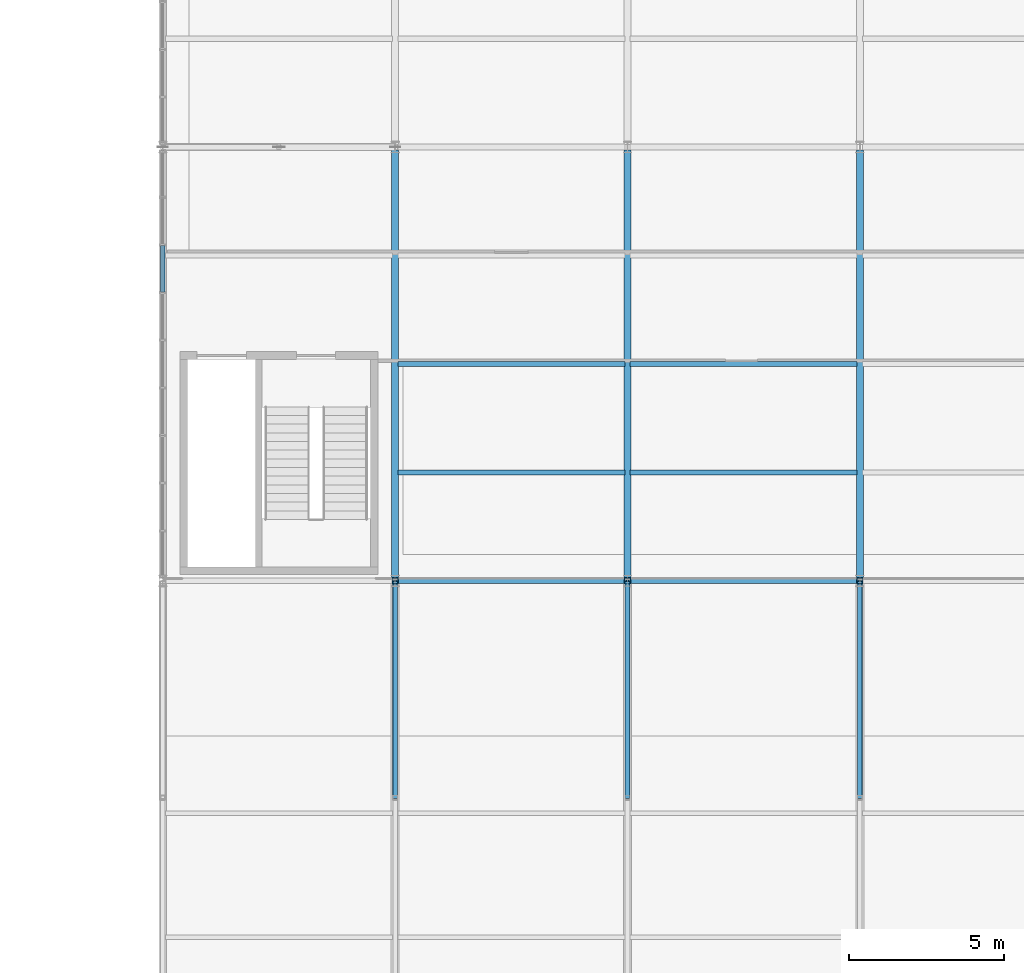
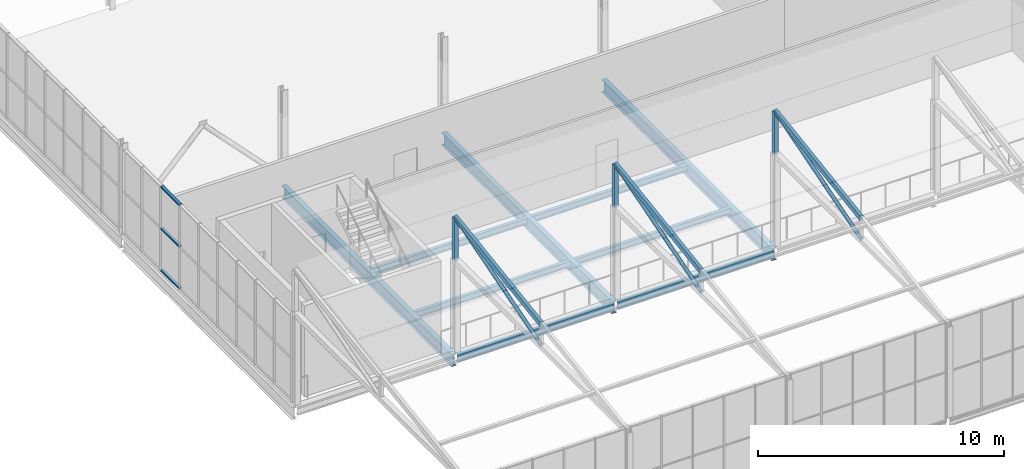
# One storey, part 39 of 104: 12 members, 9 beams, 1 element without a shape of its own.
"""IFC4 building model written with IfcOpenShell, lengths in metres."""

from ifc_helpers import new_model, si_unit, direction, frame, origin, origin_2d, place, context, subcontext, project, spatial, hollow_rectangle, hollow_circle, i_section, extrude, material, layer, layer_set, material_profile, profile_set, type_object, element, aggregate, save


model = new_model("IFC4")

# Units and contexts
model_context = context("Model", 3, precision=1e-05, world=origin(), true_north=direction((0.0, 1.0)))
body_context = subcontext(model_context, "Body", "Model", "MODEL_VIEW")
ifc_project = project(units=[si_unit("LENGTHUNIT", "METRE"), si_unit("AREAUNIT", "SQUARE_METRE"), si_unit("VOLUMEUNIT", "CUBIC_METRE"), si_unit("PLANEANGLEUNIT", "RADIAN"), si_unit("MASSUNIT", "GRAM", prefix="KILO")], contexts=[model_context])

# Site, building, storey
site_placement = place(None, origin())
site = spatial("IfcSite", under=ifc_project, at=site_placement, CompositionType="ELEMENT")
building_placement = place(site_placement, origin())
building = spatial("IfcBuilding", under=site, at=building_placement, Name="Solvenia Promenade Tram Depot", CompositionType="ELEMENT")
storey_placement = place(building_placement, frame((0.0, 0.0, 9.0)))
storey = spatial("IfcBuildingStorey", under=building, at=storey_placement, Name="L02", CompositionType="ELEMENT", Elevation=9.0)

# Curtain wall, members
ifc_material_1 = material(Name="Anodized aluminium AW-6063 T6", Category="aluminium")
ifc_layer = layer(ifc_material_1, 0.14990234375, Name="Anodized aluminium AW-6063 T6", Category="aluminium")
ifc_layer_set = layer_set([ifc_layer], Name="Anodized aluminium AW-6063 T6")
curtain_wall_type = type_object("IfcCurtainWallType", Name="CW-Court-1500", PredefinedType="NOTDEFINED", material=ifc_layer_set)
curtain_wall_placement = place(storey_placement, origin())
curtain_wall = element("IfcCurtainWall", 1, at=curtain_wall_placement, inside=storey, type_object=curtain_wall_type, Name="Curtain Wall CW-V2W-L2-1", PredefinedType="NOTDEFINED")
ifc_material_profile_1 = material_profile(ifc_material_1, hollow_rectangle(XDim=0.139892578125, YDim=0.06494140625, WallThickness=0.00390625, at=origin_2d()), Name="ALU-T2", Category="aluminium")
ifc_profile_set_1 = profile_set([ifc_material_profile_1], Name="Anodized aluminium AW-6063 T6")
member_type_1 = type_object("IfcMemberType", Name="CWT-Transom-2", PredefinedType="USERDEFINED", material=ifc_profile_set_1)
member_1_placement = place(storey_placement, frame((105.0, 47.331787109375, 0.032470703125), z_axis=(0.0, 1.0, 0.0), x_axis=(-1.0, 0.0, 0.0)))
member_1 = element("IfcMember", 2, at=member_1_placement, type_object=member_type_1, Name="CW-5 transom 7.1", ObjectType="TRANSOM", PredefinedType="USERDEFINED", context=body_context, shape_type="SweptSolid", body=[
    extrude(hollow_rectangle(XDim=0.139892578125, YDim=0.06494140625, WallThickness=0.00390625, at=origin_2d()), origin(), (0.0, 0.0, 1.0), 1.487548828125),
])
member_2_placement = place(storey_placement, frame((105.0, 47.331787109375, 2.10009765625), z_axis=(0.0, 1.0, 0.0), x_axis=(-1.0, 0.0, 0.0)))
member_2 = element("IfcMember", 3, at=member_2_placement, type_object=member_type_1, Name="CW-5 transom 7.2", ObjectType="TRANSOM", PredefinedType="USERDEFINED", context=body_context, shape_type="SweptSolid", body=[
    extrude(hollow_rectangle(XDim=0.139892578125, YDim=0.06494140625, WallThickness=0.00390625, at=origin_2d()), origin(), (0.0, 0.0, 1.0), 1.487548828125),
])
member_3_placement = place(storey_placement, frame((105.0, 47.331787109375, 4.16748046875), z_axis=(0.0, 1.0, 0.0), x_axis=(-1.0, 0.0, 0.0)))
member_3 = element("IfcMember", 4, at=member_3_placement, type_object=member_type_1, Name="CW-5 transom 7.3", ObjectType="TRANSOM", PredefinedType="USERDEFINED", context=body_context, shape_type="SweptSolid", body=[
    extrude(hollow_rectangle(XDim=0.139892578125, YDim=0.06494140625, WallThickness=0.00390625, at=origin_2d()), origin(), (0.0, 0.0, 1.0), 1.487548828125),
])
aggregate(curtain_wall, [member_1, member_2, member_3])

# Members
ifc_material_2 = material(Name="Structural steel ASTM A500 Gr. C", Category="steel")
ifc_material_profile_2 = material_profile(ifc_material_2, hollow_rectangle(XDim=0.14990234375, YDim=0.25, WallThickness=0.010009765625, at=origin_2d()), Name="HSS250x150x10", Category="steel")
ifc_profile_set_2 = profile_set([ifc_material_profile_2], Name="Structural steel ASTM A500 Gr. C")
member_type_2 = type_object("IfcMemberType", Name="Chord-HSS250x150x10", PredefinedType="CHORD", material=ifc_profile_set_2)
for number, where, z_axis, x_axis, name in (
    (5, (112.5, 31.0, 5.530029296875), (0.0, 0.988935340875, 0.148347199397), (-1.0, 0.0, 0.0), "Crane Hall Clerestory Rafter 02N"),
    (6, (120.0, 31.0, 5.530029296875), (0.0, 0.988935340875, 0.148347199397), (-1.0, 0.0, 0.0), "Crane Hall Clerestory Rafter 03N"),
    (7, (127.5, 31.0, 5.530029296875), (0.0, 0.988935340875, 0.148347199397), (-1.0, 0.0, 0.0), "Crane Hall Clerestory Rafter 04N"),
):
    element("IfcMember", number, at=place(storey_placement, frame(where, z_axis=z_axis, x_axis=x_axis)), inside=storey, type_object=member_type_2, Name=name, PredefinedType="CHORD", context=body_context, shape_type="SweptSolid", body=[
        extrude(hollow_rectangle(XDim=0.14990234375, YDim=0.25, WallThickness=0.010009765625, at=origin_2d()), origin(), (0.0, 0.0, 1.0), 7.078369140625),
    ])

# Beams
ifc_material_3 = material(Name="Structural steel ASTM A992 Gr. 50", Category="steel")
ifc_material_profile_3 = material_profile(ifc_material_3, i_section(OverallWidth=0.22900390625, OverallDepth=0.612060546875, WebThickness=0.011962890625, FlangeThickness=0.01953125, FilletRadius=0.014892578125, at=origin_2d()), Name="W610x125", Category="steel")
ifc_profile_set_3 = profile_set([ifc_material_profile_3], Name="Structural steel ASTM A992 Gr. 50")
beam_type_1 = type_object("IfcBeamType", Name="Gird-W610x125", PredefinedType="BEAM", material=ifc_profile_set_3)
for number, where, z_axis, x_axis, name in (
    (8, (112.5, 38.0849609375, -0.5458984375), (0.0, 1.0, 0.0), (-1.0, 0.0, 0.0), "Transverse Girder BM-L02-0471"),
    (9, (120.0, 38.0849609375, -0.5458984375), (0.0, 1.0, 0.0), (-1.0, 0.0, 0.0), "Transverse Girder BM-L02-0473"),
    (10, (127.5, 38.0849609375, -0.5458984375), (0.0, 1.0, 0.0), (-1.0, 0.0, 0.0), "Transverse Girder BM-L02-0475"),
):
    element("IfcBeam", number, at=place(storey_placement, frame(where, z_axis=z_axis, x_axis=x_axis)), inside=storey, type_object=beam_type_1, Name=name, PredefinedType="BEAM", context=body_context, shape_type="SweptSolid", body=[
        extrude(i_section(OverallWidth=0.22900390625, OverallDepth=0.612060546875, WebThickness=0.011962890625, FlangeThickness=0.01953125, FilletRadius=0.014892578125, at=origin_2d()), origin(), (0.0, 0.0, 1.0), 13.830078125),
    ])
ifc_material_profile_4 = material_profile(ifc_material_3, i_section(OverallWidth=0.166015625, OverallDepth=0.31298828125, WebThickness=0.006591796875, FlangeThickness=0.01123046875, FilletRadius=0.010009765625, at=origin_2d()), Name="W310x45", Category="steel")
ifc_profile_set_4 = profile_set([ifc_material_profile_4], Name="Structural steel ASTM A992 Gr. 50")
beam_type_2 = type_object("IfcBeamType", Name="Joist-W310x45", PredefinedType="JOIST", material=ifc_profile_set_4)
for number, where, z_axis, x_axis, name in (
    (11, (112.5849609375, 41.5, -0.396484375), (1.0, 0.0, 0.0), (0.0, 1.0, 0.0), "Secondary Floor Joist BM-L02-0489"),
    (12, (112.5849609375, 45.0, -0.396484375), (1.0, 0.0, 0.0), (0.0, 1.0, 0.0), "Secondary Floor Joist BM-L02-0490"),
    (13, (120.0849609375, 41.5, -0.396484375), (1.0, 0.0, 0.0), (0.0, 1.0, 0.0), "Secondary Floor Joist BM-L02-0495"),
    (14, (120.0849609375, 45.0, -0.396484375), (1.0, 0.0, 0.0), (0.0, 1.0, 0.0), "Secondary Floor Joist BM-L02-0496"),
):
    element("IfcBeam", number, at=place(storey_placement, frame(where, z_axis=z_axis, x_axis=x_axis)), inside=storey, type_object=beam_type_2, Name=name, PredefinedType="JOIST", context=body_context, shape_type="SweptSolid", body=[
        extrude(i_section(OverallWidth=0.166015625, OverallDepth=0.31298828125, WebThickness=0.006591796875, FlangeThickness=0.01123046875, FilletRadius=0.010009765625, at=origin_2d()), origin(), (0.0, 0.0, 1.0), 7.330078125),
    ])

# Members
ifc_material_profile_5 = material_profile(ifc_material_2, hollow_rectangle(XDim=0.199951171875, YDim=0.199951171875, WallThickness=0.010009765625, at=origin_2d()), Name="HSS200x200x10", Category="steel")
ifc_profile_set_5 = profile_set([ifc_material_profile_5], Name="Structural steel ASTM A500 Gr. C")
member_type_3 = type_object("IfcMemberType", Name="Post-HSS200x200x10", PredefinedType="POST", material=ifc_profile_set_5)
for number, where, z_axis, x_axis, name in (
    (15, (112.5, 38.0, 4.47998046875), (0.0, 0.0, 1.0), (1.0, 0.0, 0.0), "Crane Hall Clerestory Post 02"),
    (16, (120.0, 38.0, 4.47998046875), (0.0, 0.0, 1.0), (1.0, 0.0, 0.0), "Crane Hall Clerestory Post 03"),
    (17, (127.5, 38.0, 4.47998046875), (0.0, 0.0, 1.0), (1.0, 0.0, 0.0), "Crane Hall Clerestory Post 04"),
):
    element("IfcMember", number, at=place(storey_placement, frame(where, z_axis=z_axis, x_axis=x_axis)), inside=storey, type_object=member_type_3, Name=name, PredefinedType="POST", context=body_context, shape_type="SweptSolid", body=[
        extrude(hollow_rectangle(XDim=0.199951171875, YDim=0.199951171875, WallThickness=0.010009765625, at=origin_2d()), origin(), (0.0, 0.0, 1.0), 2.10009765625),
    ])

# Beams
ifc_material_profile_6 = material_profile(ifc_material_3, i_section(OverallWidth=0.172119140625, OverallDepth=0.35791015625, WebThickness=0.0078125, FlangeThickness=0.01318359375, FilletRadius=0.010986328125, at=origin_2d()), Name="W360x57", Category="steel")
ifc_profile_set_6 = profile_set([ifc_material_profile_6], Name="Structural steel ASTM A992 Gr. 50")
beam_type_3 = type_object("IfcBeamType", Name="Spandrel-W360x57", PredefinedType="SPANDREL", material=ifc_profile_set_6)
for number, where, z_axis, x_axis, name in (
    (18, (112.5849609375, 38.0, -0.4189453125), (1.0, 0.0, 0.0), (0.0, 1.0, 0.0), "Perimeter Spandrel BM-L02-0449"),
    (19, (120.0849609375, 38.0, -0.4189453125), (1.0, 0.0, 0.0), (0.0, 1.0, 0.0), "Perimeter Spandrel BM-L02-0450"),
):
    element("IfcBeam", number, at=place(storey_placement, frame(where, z_axis=z_axis, x_axis=x_axis)), inside=storey, type_object=beam_type_3, Name=name, PredefinedType="SPANDREL", context=body_context, shape_type="SweptSolid", body=[
        extrude(i_section(OverallWidth=0.172119140625, OverallDepth=0.35791015625, WebThickness=0.0078125, FlangeThickness=0.01318359375, FilletRadius=0.010986328125, at=origin_2d()), origin(), (0.0, 0.0, 1.0), 7.330078125),
    ])

# Members
ifc_material_profile_7 = material_profile(ifc_material_2, hollow_circle(Radius=0.084228515625, WallThickness=0.008056640625, at=origin_2d()), Name="CHS168.3x8", Category="steel")
ifc_profile_set_7 = profile_set([ifc_material_profile_7], Name="Structural steel ASTM A500 Gr. C")
member_type_4 = type_object("IfcMemberType", Name="WebDiag-CHS168x8", PredefinedType="BRACE", material=ifc_profile_set_7)
for number, where, z_axis, x_axis, name in (
    (20, (112.5, 31.0, 4.47998046875), (0.0, 0.957822607396, 0.287360144699), (-1.0, 0.0, 0.0), "Crane Hall Truss Web Diagonal 02"),
    (21, (120.0, 31.0, 4.47998046875), (0.0, 0.957822607396, 0.287360144699), (-1.0, 0.0, 0.0), "Crane Hall Truss Web Diagonal 03"),
    (22, (127.5, 31.0, 4.47998046875), (0.0, 0.957822607396, 0.287360144699), (-1.0, 0.0, 0.0), "Crane Hall Truss Web Diagonal 04"),
):
    element("IfcMember", number, at=place(storey_placement, frame(where, z_axis=z_axis, x_axis=x_axis)), inside=storey, type_object=member_type_4, Name=name, PredefinedType="BRACE", context=body_context, shape_type="SweptSolid", body=[
        extrude(hollow_circle(Radius=0.084228515625, WallThickness=0.008056640625, at=origin_2d()), origin(), (0.0, 0.0, 1.0), 7.308349609375),
    ])

save(model, "model.ifc")
